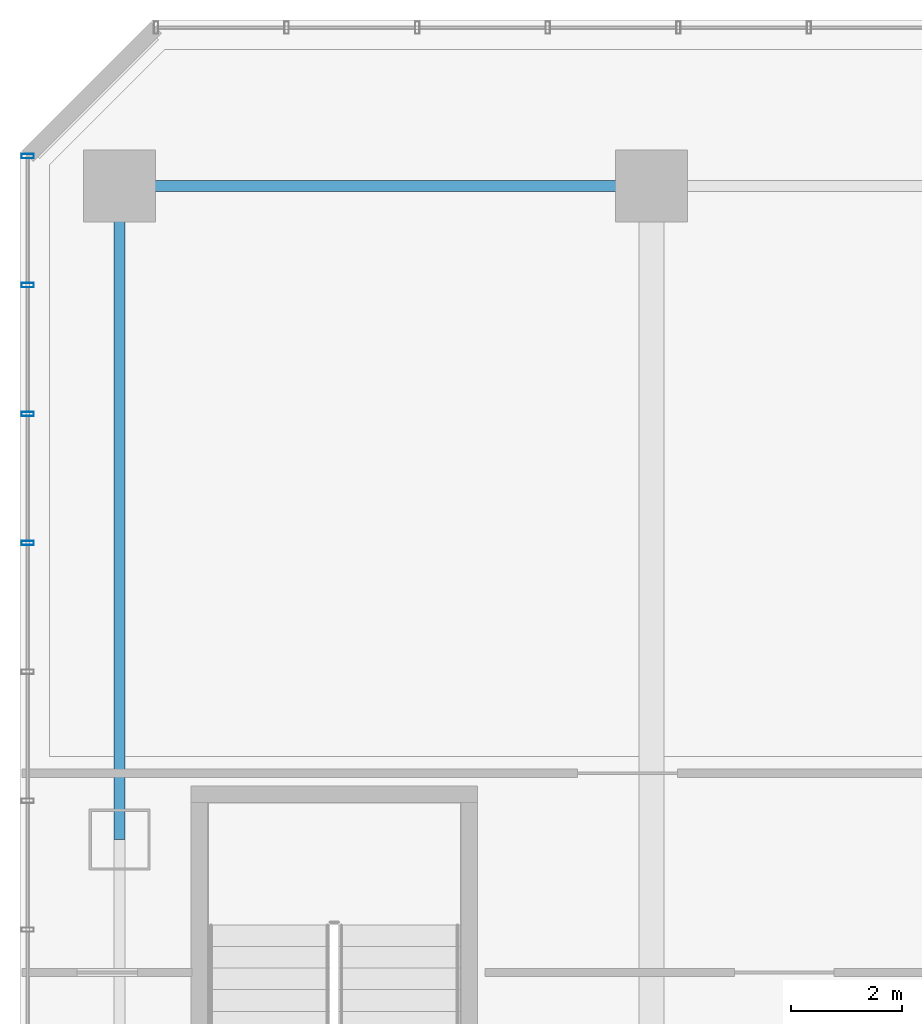
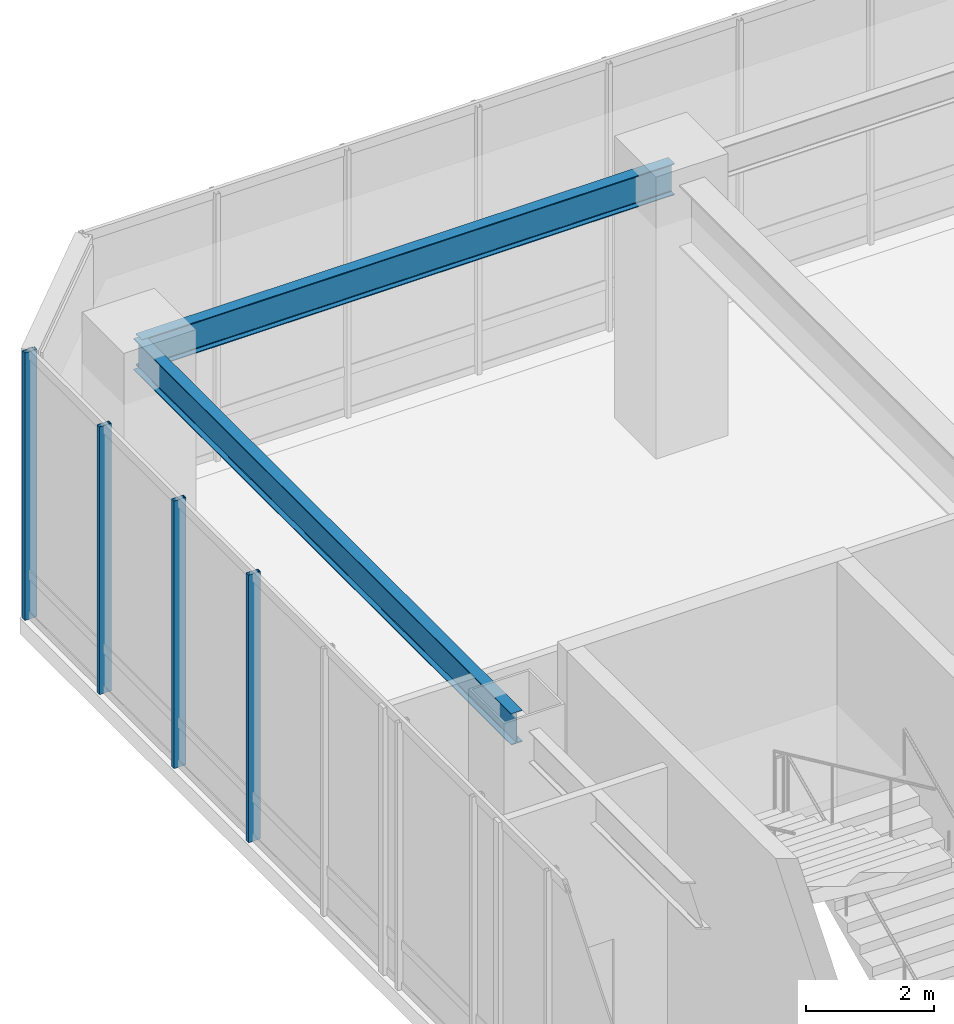
# One storey, part 14 of 35: 4 members, 2 beams, 1 element without a shape of its own.
"""IFC4 building model written with IfcOpenShell, lengths in metres."""

from ifc_helpers import new_model, si_unit, direction, frame, origin, origin_2d, place, context, subcontext, project, spatial, hollow_rectangle, i_section, extrude, material, layer, layer_set, material_profile, profile_set, type_object, element, aggregate, save


model = new_model("IFC4")

# Units and contexts
model_context = context("Model", 3, precision=1e-05, world=origin(), true_north=direction((0.0, 1.0)))
body_context = subcontext(model_context, "Body", "Model", "MODEL_VIEW")
ifc_project = project(units=[si_unit("LENGTHUNIT", "METRE"), si_unit("AREAUNIT", "SQUARE_METRE"), si_unit("VOLUMEUNIT", "CUBIC_METRE"), si_unit("PLANEANGLEUNIT", "RADIAN"), si_unit("MASSUNIT", "GRAM", prefix="KILO")], contexts=[model_context])

# Site, building, storey
site_placement = place(None, origin())
site = spatial("IfcSite", under=ifc_project, at=site_placement, CompositionType="ELEMENT")
building_placement = place(site_placement, origin())
building = spatial("IfcBuilding", under=site, at=building_placement, Name="Hatsunagi Terrace Concourse", CompositionType="ELEMENT")
storey_placement = place(building_placement, frame((0.0, 0.0, 5.39990234375)))
storey = spatial("IfcBuildingStorey", under=building, at=storey_placement, Name="L02", CompositionType="ELEMENT", Elevation=5.39990234375)

# Curtain wall, members
ifc_material_1 = material(Name="Anodised Aluminium Alloy 6063-T5", Category="aluminium")
ifc_layer = layer(ifc_material_1, 0.199951171875)
ifc_layer_set = layer_set([ifc_layer], Name="PodiumStorefront_CW01")
curtain_wall_type = type_object("IfcCurtainWallType", Name="PodiumStorefront_CW01", PredefinedType="NOTDEFINED", material=ifc_layer_set)
curtain_wall_placement = place(storey_placement, origin())
curtain_wall = element("IfcCurtainWall", 1, at=curtain_wall_placement, inside=storey, type_object=curtain_wall_type, Name="Unitised Curtain Wall CW-01 CW-L02-10", PredefinedType="NOTDEFINED")
ifc_material_2 = material(Name="Anodised Aluminium Alloy 6063-T5", Category="aluminium")
ifc_material_profile_1 = material_profile(ifc_material_2, hollow_rectangle(XDim=0.080078125, YDim=0.219970703125, WallThickness=0.0048828125, at=origin_2d()), Name="ALU-MUL-220x80x5")
ifc_profile_set_1 = profile_set([ifc_material_profile_1], Name="Anodised Aluminium Alloy 6063-T5")
member_type = type_object("IfcMemberType", Name="CurtainWallMullion_Heavy_220x80", PredefinedType="MULLION", material=ifc_profile_set_1)
member_1_placement = place(storey_placement, frame((0.139892578125, 42.156982421875, 0.0), z_axis=(0.0, 0.0, 1.0), x_axis=(0.0, 1.0, 0.0)))
member_1 = element("IfcMember", 2, at=member_1_placement, type_object=member_type, Name="Curtain Wall Mullion MUL-01", PredefinedType="MULLION", context=body_context, shape_type="SweptSolid", body=[
    extrude(hollow_rectangle(XDim=0.080078125, YDim=0.219970703125, WallThickness=0.0048828125, at=origin_2d()), origin(), (0.0, 0.0, 1.0), 5.10009765625),
])
member_2_placement = place(storey_placement, frame((0.139892578125, 44.485107421875, 0.0), z_axis=(0.0, 0.0, 1.0), x_axis=(0.0, 1.0, 0.0)))
member_2 = element("IfcMember", 3, at=member_2_placement, type_object=member_type, Name="Curtain Wall Mullion MUL-01", PredefinedType="MULLION", context=body_context, shape_type="SweptSolid", body=[
    extrude(hollow_rectangle(XDim=0.080078125, YDim=0.219970703125, WallThickness=0.0048828125, at=origin_2d()), origin(), (0.0, 0.0, 1.0), 5.10009765625),
])
member_3_placement = place(storey_placement, frame((0.139892578125, 46.81396484375, 0.0), z_axis=(0.0, 0.0, 1.0), x_axis=(0.0, 1.0, 0.0)))
member_3 = element("IfcMember", 4, at=member_3_placement, type_object=member_type, Name="Curtain Wall Mullion MUL-01", PredefinedType="MULLION", context=body_context, shape_type="SweptSolid", body=[
    extrude(hollow_rectangle(XDim=0.080078125, YDim=0.219970703125, WallThickness=0.0048828125, at=origin_2d()), origin(), (0.0, 0.0, 1.0), 5.10009765625),
])
member_4_placement = place(storey_placement, frame((0.139892578125, 49.14208984375, 0.0), z_axis=(0.0, 0.0, 1.0), x_axis=(0.0, 1.0, 0.0)))
member_4 = element("IfcMember", 5, at=member_4_placement, type_object=member_type, Name="Curtain Wall Mullion MUL-01", PredefinedType="MULLION", context=body_context, shape_type="SweptSolid", body=[
    extrude(hollow_rectangle(XDim=0.080078125, YDim=0.219970703125, WallThickness=0.0048828125, at=origin_2d()), origin(), (0.0, 0.0, 1.0), 5.10009765625),
])
aggregate(curtain_wall, [member_1, member_2, member_3, member_4])

# Beams
ifc_material_3 = material(Name="Steel SN490B", Category="steel")
ifc_material_profile_2 = material_profile(ifc_material_3, i_section(OverallWidth=0.199951171875, OverallDepth=0.60009765625, WebThickness=0.010986328125, FlangeThickness=0.01708984375, FilletRadius=0.01806640625, at=origin_2d()), Name="H-600x200x11x17")
ifc_profile_set_2 = profile_set([ifc_material_profile_2], Name="Steel SN490B")
beam_type = type_object("IfcBeamType", Name="PerimeterSpandrel_H_600x200", PredefinedType="SPANDREL", material=ifc_profile_set_2)
beam_1_placement = place(storey_placement, frame((1.800048828125, 48.60009765625, 4.800048828125), z_axis=(1.0, 0.0, 0.0), x_axis=(0.0, 1.0, 0.0)))
element("IfcBeam", 6, at=beam_1_placement, inside=storey, type_object=beam_type, Name="Beam SP-01 BM-L02-WN-1", PredefinedType="SPANDREL", context=body_context, shape_type="SweptSolid", body=[
    extrude(i_section(OverallWidth=0.199951171875, OverallDepth=0.60009765625, WebThickness=0.010986328125, FlangeThickness=0.01708984375, FilletRadius=0.01806640625, at=origin_2d()), origin(), (0.0, 0.0, 1.0), 9.599853515625),
])
beam_2_placement = place(storey_placement, frame((1.800048828125, 36.800048828125, 4.800048828125), z_axis=(0.0, 1.0, 0.0), x_axis=(-1.0, 0.0, 0.0)))
element("IfcBeam", 7, at=beam_2_placement, inside=storey, type_object=beam_type, Name="Beam SP-01 BM-L02-NS-1-36", PredefinedType="SPANDREL", context=body_context, shape_type="SweptSolid", body=[
    extrude(i_section(OverallWidth=0.199951171875, OverallDepth=0.60009765625, WebThickness=0.010986328125, FlangeThickness=0.01708984375, FilletRadius=0.01806640625, at=origin_2d()), origin(), (0.0, 0.0, 1.0), 11.800048828125),
])

save(model, "model.ifc")
